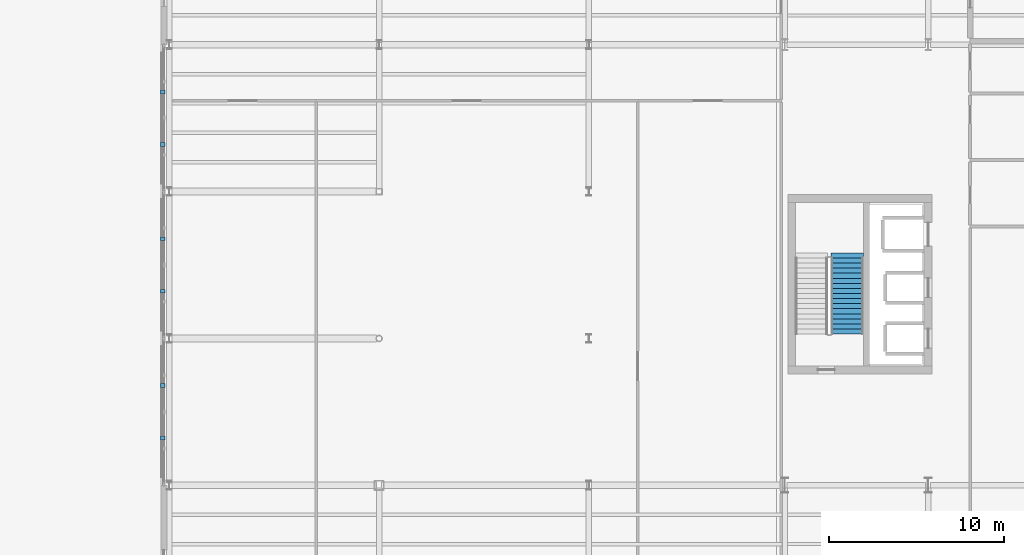
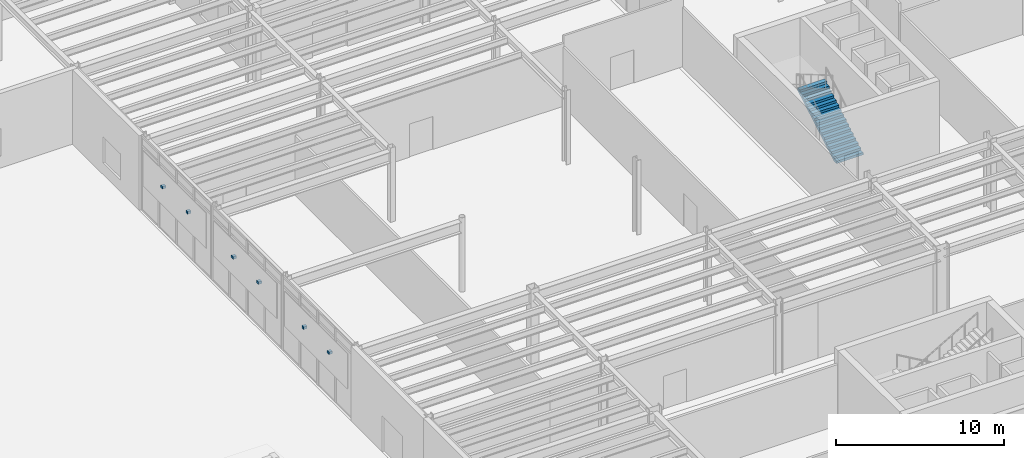
# One storey, part 82 of 94: 6 discrete accessories, 1 stair flight, 1 element without a shape of its own.
"""IFC4 building model written with IfcOpenShell, lengths in metres."""

import ifcopenshell
import ifcopenshell.guid

model = None  # the IFC model being written
_history = None  # IfcOwnerHistory: only IFC2X3 demands one
_inside = {}  # id of a spatial element -> (the spatial element, [elements in it])
_under = {}  # id of a project, library or spatial element -> (it, [spatial elements below it])
_declared = {}  # id of a project -> (the project, [libraries it declares])
_typed = {}  # id of a type object -> (the type object, [elements of that type])
_made_of = {}  # id of a material, layer set ... -> (it, [elements and type objects made of it])


def new_model(schema):
    """Start an empty IFC model of exactly this schema.

    Asked for "IFC4X3", IfcOpenShell would pick the latest addendum, in which some entities
    have other attributes; the version numbers below select the first issue.
    IFC2X3 requires an IfcOwnerHistory on every rooted entity: one is made here for all.
    """
    global model, _history
    if schema == "IFC4X3":
        model = ifcopenshell.file(schema_version=(4, 3, 0, 0))
    else:
        model = ifcopenshell.file(schema=schema)
    _inside.clear()
    _under.clear()
    _declared.clear()
    _typed.clear()
    _made_of.clear()
    _history = None
    if model.schema == "IFC2X3":
        org = make("IfcOrganization", Name="unknown")
        user = make(
            "IfcPersonAndOrganization",
            ThePerson=make("IfcPerson", FamilyName="unknown"),
            TheOrganization=org,
        )
        app = make(
            "IfcApplication",
            ApplicationDeveloper=org,
            Version="unknown",
            ApplicationFullName="unknown",
            ApplicationIdentifier="unknown",
        )
        _history = make(
            "IfcOwnerHistory",
            OwningUser=user,
            OwningApplication=app,
            ChangeAction="ADDED",
            CreationDate=0,
        )
    return model


def make(cls, **values):
    """One entity of the class cls with the attributes given. An attribute that is None is left unset."""
    return model.create_entity(
        cls, **{name: value for name, value in values.items() if value is not None}
    )


def rooted(cls, **values):
    """An entity with a GlobalId (a new one), such as an element, a storey or a relation."""
    return make(cls, GlobalId=ifcopenshell.guid.new(), OwnerHistory=_history, **values)


def si_unit(unit_type, name, prefix=None):
    """IfcSIUnit, for example si_unit("LENGTHUNIT", "METRE", prefix="MILLI")."""
    return make("IfcSIUnit", UnitType=unit_type, Prefix=prefix, Name=name)


def assignment(units):
    """IfcUnitAssignment: the units of a project."""
    return None if units is None else make("IfcUnitAssignment", Units=units)


def point(xyz):
    """IfcCartesianPoint."""
    return None if xyz is None else make("IfcCartesianPoint", Coordinates=xyz)


def direction(xyz):
    """IfcDirection."""
    return None if xyz is None else make("IfcDirection", DirectionRatios=xyz)


def frame(location, z_axis=None, x_axis=None):
    """IfcAxis2Placement3D, a coordinate frame: its origin and axes. An axis left out is left unset."""
    return make(
        "IfcAxis2Placement3D",
        Location=point(location),
        Axis=direction(z_axis),
        RefDirection=direction(x_axis),
    )


def frame_2d(location, x_axis=None):
    """IfcAxis2Placement2D, a coordinate frame in the plane: its origin and x axis."""
    return make(
        "IfcAxis2Placement2D", Location=point(location), RefDirection=direction(x_axis)
    )


def origin():
    """The frame at (0, 0, 0) with its axes left unset."""
    return frame((0.0, 0.0, 0.0))


def origin_2d():
    """The frame at (0, 0) in the plane with its x axis left unset."""
    return frame_2d((0.0, 0.0))


def place(relative_to, where):
    """IfcLocalPlacement: puts the frame where relative to a parent placement (None: the world)."""
    return make(
        "IfcLocalPlacement", PlacementRelTo=relative_to, RelativePlacement=where
    )


def context(
    kind, dimensions, precision=None, world=None, true_north=None, identifier=None
):
    """IfcGeometricRepresentationContext, for example the 3D "Model" context."""
    return make(
        "IfcGeometricRepresentationContext",
        ContextIdentifier=identifier,
        ContextType=kind,
        CoordinateSpaceDimension=dimensions,
        Precision=precision,
        WorldCoordinateSystem=world,
        TrueNorth=true_north,
    )


def subcontext(parent, identifier, kind, view, scale=None):
    """IfcGeometricRepresentationSubContext, for example "Body" below "Model"."""
    return make(
        "IfcGeometricRepresentationSubContext",
        ContextIdentifier=identifier,
        ContextType=kind,
        ParentContext=parent,
        TargetScale=scale,
        TargetView=view,
    )


def project(units=None, contexts=None):
    """IfcProject with its units and contexts."""
    return rooted(
        "IfcProject",
        Name="project",
        RepresentationContexts=contexts,
        UnitsInContext=assignment(units),
    )


def spatial(cls, under=None, at=None, **own):
    """A site, building, storey or space (cls), placed at a placement, below another one or the project."""
    s = rooted(cls, ObjectPlacement=at, **own)
    if under is not None:
        _under.setdefault(under.id(), (under, []))[1].append(s)
    return s


def polyline(points):
    """IfcPolyline through the points."""
    return make("IfcPolyline", Points=[point(p) for p in points])


def profile(cls, at=None, kind="AREA", **sizes):
    """A parametric profile (cls). Its sizes go by their IFC names, for example OverallWidth=200.0."""
    return make(cls, ProfileType=kind, Position=at, **sizes)


def rectangle(**sizes):
    """IfcRectangleProfileDef."""
    return profile("IfcRectangleProfileDef", **sizes)


def outline(outer, holes=None, kind="AREA"):
    """IfcArbitraryClosedProfileDef: a profile drawn as a closed curve; with holes, ...WithVoids."""
    if holes is None:
        return make("IfcArbitraryClosedProfileDef", ProfileType=kind, OuterCurve=outer)
    return make(
        "IfcArbitraryProfileDefWithVoids",
        ProfileType=kind,
        OuterCurve=outer,
        InnerCurves=holes,
    )


def extrude(swept, where, along, depth):
    """IfcExtrudedAreaSolid: the profile swept, set in the frame where, extruded along a direction by depth."""
    return make(
        "IfcExtrudedAreaSolid",
        SweptArea=swept,
        Position=where,
        ExtrudedDirection=direction(along),
        Depth=depth,
    )


def shape(context_of_items, identifier, shape_type, items):
    """IfcShapeRepresentation: the items that make up one representation, for example the "Body"."""
    return make(
        "IfcShapeRepresentation",
        ContextOfItems=context_of_items,
        RepresentationIdentifier=identifier,
        RepresentationType=shape_type,
        Items=items,
    )


def material(Name=None, Category=None):
    """IfcMaterial."""
    return make("IfcMaterial", Name=Name, Category=Category)


def made_of(thing, what):
    """Note that an element or type object is made of a material, layer set ...; save() writes the relation."""
    if what is not None:
        _made_of.setdefault(what.id(), (what, []))[1].append(thing)
    return thing


def type_object(cls, material=None, **own):
    """A type object (cls), such as IfcWallType, which elements share."""
    return made_of(rooted(cls, **own), material)


def element(
    cls,
    number,
    at=None,
    inside=None,
    cuts=None,
    type_object=None,
    material=None,
    context=None,
    identifier="Body",
    shape_type=None,
    held_by="IfcProductDefinitionShape",
    body=None,
    shapes=None,
    **own,
):
    """One element of the class cls, such as IfcWall. Its Tag is "e" and its number.

    at: its placement. inside: the storey or other place that contains it. cuts: it is an
    opening in that element (IfcRelVoidsElement). A single representation is given by context,
    identifier, shape_type and body (its items); several are given by shapes. held_by: the class
    of the entity that holds the representations. save() writes the other relations.
    """
    e = rooted(cls, Tag="e%d" % number, ObjectPlacement=at, **own)
    if body is not None:
        shapes = [shape(context, identifier, shape_type, body)]
    if shapes is not None:
        e.Representation = make(held_by, Representations=shapes)
    if inside is not None:
        _inside.setdefault(inside.id(), (inside, []))[1].append(e)
    if cuts is not None:
        rooted(
            "IfcRelVoidsElement", RelatingBuildingElement=cuts, RelatedOpeningElement=e
        )
    if type_object is not None:
        _typed.setdefault(type_object.id(), (type_object, []))[1].append(e)
    return made_of(e, material)


def aggregate(whole, parts):
    """IfcRelAggregates: a whole, such as a stair, and the parts it consists of."""
    return rooted("IfcRelAggregates", RelatingObject=whole, RelatedObjects=parts)


def save(model, path):
    """Write the relations noted so far, then the file.

    IfcRelAggregates (storeys below a building ...), IfcRelContainedInSpatialStructure (elements
    in a storey), IfcRelDefinesByType, IfcRelAssociatesMaterial and IfcRelDeclares: one each for
    every whole, place, type object, material and project.
    """
    for whole, parts in _under.values():
        aggregate(whole, parts)
    for where, things in _inside.values():
        rooted(
            "IfcRelContainedInSpatialStructure",
            RelatedElements=things,
            RelatingStructure=where,
        )
    for kind, things in _typed.values():
        rooted("IfcRelDefinesByType", RelatedObjects=things, RelatingType=kind)
    for what, things in _made_of.values():
        rooted("IfcRelAssociatesMaterial", RelatedObjects=things, RelatingMaterial=what)
    for by, libraries in _declared.values():
        rooted("IfcRelDeclares", RelatingContext=by, RelatedDefinitions=libraries)
    model.write(path)


model = new_model("IFC4")

# Units and contexts
model_context = context("Model", 3, precision=1e-05, world=origin(), true_north=direction((0.0, 1.0)))
body_context = subcontext(model_context, "Body", "Model", "MODEL_VIEW")
ifc_project = project(units=[si_unit("LENGTHUNIT", "METRE"), si_unit("AREAUNIT", "SQUARE_METRE"), si_unit("VOLUMEUNIT", "CUBIC_METRE"), si_unit("PLANEANGLEUNIT", "RADIAN"), si_unit("MASSUNIT", "GRAM", prefix="KILO")], contexts=[model_context])

# Site, building, storey
site_placement = place(None, origin())
site = spatial("IfcSite", under=ifc_project, at=site_placement, CompositionType="ELEMENT")
building_placement = place(site_placement, origin())
building = spatial("IfcBuilding", under=site, at=building_placement, Name="Sollismere Congress Hotel", CompositionType="ELEMENT")
storey_placement = place(building_placement, origin())
storey = spatial("IfcBuildingStorey", under=building, at=storey_placement, Name="L00", CompositionType="ELEMENT", Elevation=0.0)

# Stair, stair flight
ifc_material_1 = material(Name="Concrete C40/50", Category="concrete")
stair_type = type_object("IfcStairType", Name="STR-DL-540", PredefinedType="HALF_TURN_STAIR", material=ifc_material_1)
stair_placement = place(storey_placement, origin())
stair = element("IfcStair", 1, at=stair_placement, inside=storey, type_object=stair_type, Name="Protected exit stair ST-03-L00", PredefinedType="HALF_TURN_STAIR")
stair_flight_type = type_object("IfcStairFlightType", Name="STF-DL-540", PredefinedType="STRAIGHT", material=ifc_material_1)
stair_flight_placement = place(storey_placement, frame((150.77490234375, 41.85009765625, 0.0), z_axis=(0.0, 0.0, 1.0), x_axis=(0.0, 1.0, 0.0)))
stair_flight = element("IfcStairFlight", 2, at=stair_flight_placement, type_object=stair_flight_type, Name="Exit stair flight ST-03-L00-F1", NumberOfRisers=16, NumberOfTreads=16, PredefinedType="STRAIGHT", RiserHeight=0.168701171875, TreadLength=0.2900390625, context=body_context, shape_type="SweptSolid", body=[
    extrude(outline(polyline([(0.0, 0.0), (0.0, 0.168701171875), (0.2900390625, 0.168701171875), (0.2900390625, 0.33740234375), (0.580078125, 0.33740234375), (0.580078125, 0.506103515625), (0.8701171875, 0.506103515625), (0.8701171875, 0.6748046875), (1.16015625, 0.6748046875), (1.16015625, 0.843505859375), (1.4501953125, 0.843505859375), (1.4501953125, 1.01220703125), (1.740234375, 1.01220703125), (1.740234375, 1.180908203125), (2.0302734375, 1.180908203125), (2.0302734375, 1.349609375), (2.3203125, 1.349609375), (2.3203125, 1.518310546875), (2.6103515625, 1.518310546875), (2.6103515625, 1.68701171875), (2.900390625, 1.68701171875), (2.900390625, 1.855712890625), (3.1904296875, 1.855712890625), (3.1904296875, 2.0244140625), (3.48046875, 2.0244140625), (3.48046875, 2.193115234375), (3.7705078125, 2.193115234375), (3.7705078125, 2.36181640625), (4.060546875, 2.36181640625), (4.060546875, 2.530517578125), (4.3505859375, 2.530517578125), (4.3505859375, 2.69921875), (4.640625, 2.69921875), (4.640625, 2.51416015625), (0.318115234375, 0.0), (0.0, 0.0)])), frame((0.0, 0.925048828125, 0.0), z_axis=(0.0, -1.0, 0.0), x_axis=(1.0, 0.0, 0.0)), (0.0, 0.0, 1.0), 1.85009765625),
])
aggregate(stair, [stair_flight])

# Discrete accessories
ifc_material_2 = material(Name="Steel ASTM A572 Grade 50", Category="steel")
discrete_accessory_type = type_object("IfcDiscreteAccessoryType", Name="BRK-STL", PredefinedType="BRACKET", material=ifc_material_2)
for number, where, z_axis, x_axis, name in (
    (3, (111.6201171875, 35.89990234375, 3.23486328125), (0.0, 0.0, 1.0), (0.0, 1.0, 0.0), "BRK-SBK-022A"),
    (4, (111.6201171875, 38.89990234375, 3.23486328125), (0.0, 0.0, 1.0), (0.0, 1.0, 0.0), "BRK-SBK-022B"),
    (5, (111.6201171875, 44.300048828125, 3.23486328125), (0.0, 0.0, 1.0), (0.0, 1.0, 0.0), "BRK-SBK-023A"),
    (6, (111.6201171875, 47.300048828125, 3.23486328125), (0.0, 0.0, 1.0), (0.0, 1.0, 0.0), "BRK-SBK-023B"),
    (7, (111.6201171875, 52.699951171875, 3.23486328125), (0.0, 0.0, 1.0), (0.0, 1.0, 0.0), "BRK-SBK-024A"),
    (8, (111.6201171875, 55.699951171875, 3.23486328125), (0.0, 0.0, 1.0), (0.0, 1.0, 0.0), "BRK-SBK-024B"),
):
    element("IfcDiscreteAccessory", number, at=place(storey_placement, frame(where, z_axis=z_axis, x_axis=x_axis)), inside=storey, type_object=discrete_accessory_type, Name=name, PredefinedType="BRACKET", context=body_context, shape_type="SweptSolid", body=[
        extrude(rectangle(XDim=0.219970703125, YDim=0.239990234375, at=origin_2d()), origin(), (0.0, 0.0, 1.0), 0.179931640625),
    ])

save(model, "model.ifc")
